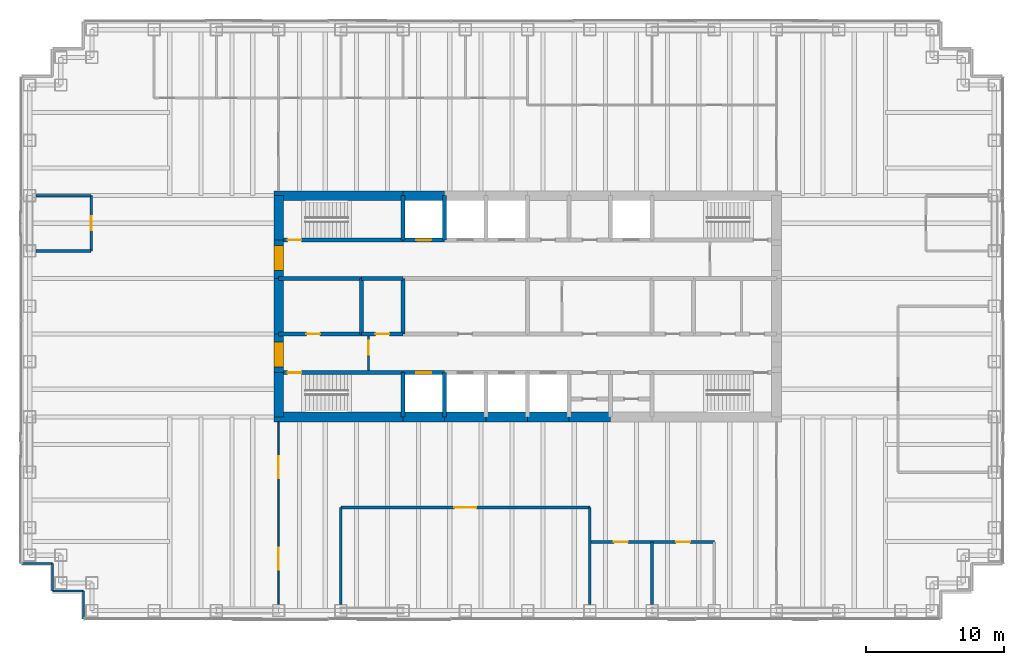
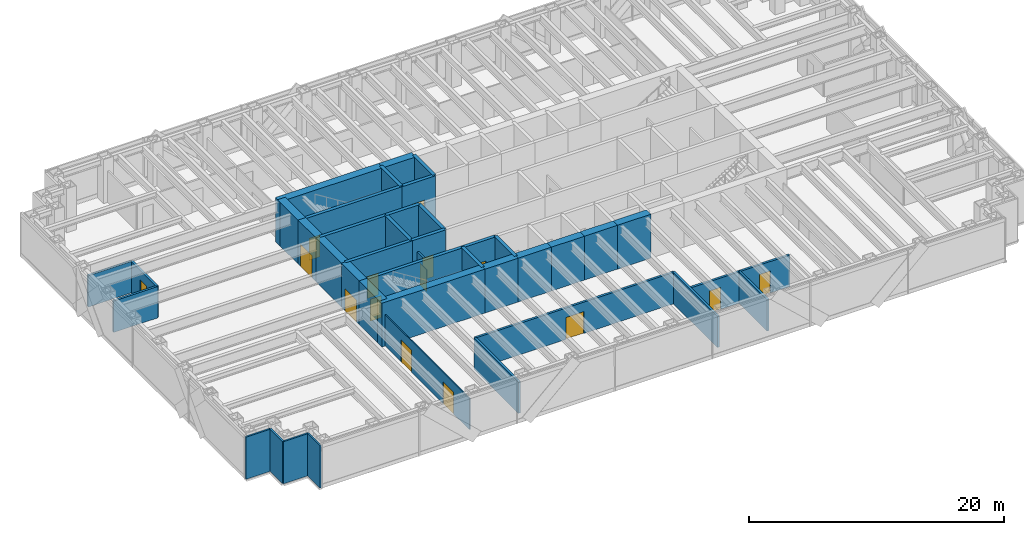
# One storey, part 13 of 17: 41 walls, 15 doors, 15 openings.
"""IFC4 building model written with IfcOpenShell, lengths in metres."""

from ifc_helpers import new_model, si_unit, direction, frame, frame_2d, origin, place, context, subcontext, project, spatial, rectangle, extrude, material, layer, layer_set, type_object, element, fill, save


model = new_model("IFC4")

# Units and contexts
model_context = context("Model", 3, precision=1e-05, world=origin(), true_north=direction((0.0, 1.0)))
body_context = subcontext(model_context, "Body", "Model", "MODEL_VIEW")
ifc_project = project(units=[si_unit("LENGTHUNIT", "METRE"), si_unit("AREAUNIT", "SQUARE_METRE"), si_unit("VOLUMEUNIT", "CUBIC_METRE"), si_unit("PLANEANGLEUNIT", "RADIAN"), si_unit("MASSUNIT", "GRAM", prefix="KILO")], contexts=[model_context])

# Site, building, storey
site_placement = place(None, origin())
site = spatial("IfcSite", under=ifc_project, at=site_placement, CompositionType="ELEMENT")
building_placement = place(site_placement, origin())
building = spatial("IfcBuilding", under=site, at=building_placement, Name="Rheinbord Bourse Tower", CompositionType="ELEMENT")
storey_placement = place(building_placement, frame((0.0, 0.0, 321.5)))
storey = spatial("IfcBuildingStorey", under=building, at=storey_placement, Name="L73", CompositionType="ELEMENT", Elevation=321.5)

# Wall, openings, doors
ifc_material_1 = material(Name="Acoustic gypsum board partition", Category="gypsum board")
ifc_layer_1 = layer(ifc_material_1, 0.199951171875)
ifc_layer_set_1 = layer_set([ifc_layer_1], Name="ACOUSTIC PARTITION 200")
wall_type_1 = type_object("IfcWallType", Name="ACOUSTIC PARTITION 200", PredefinedType="PARTITIONING", material=ifc_layer_set_1)
wall_1_placement = place(storey_placement, frame((40.5, 6.949951171875, 0.0), z_axis=(0.0, 0.0, 1.0), x_axis=(1.0, 0.0, 0.0)))
wall_1 = element("IfcWall", 1, at=wall_1_placement, inside=storey, type_object=wall_type_1, Name="Partition L73-01", PredefinedType="PARTITIONING", context=body_context, shape_type="SweptSolid", body=[
    extrude(rectangle(XDim=9.0, YDim=0.199951171875, at=frame_2d((4.5, 0.0))), origin(), (0.0, 0.0, 1.0), 3.0),
])
opening_1_placement = place(wall_1_placement, frame((1.75, 0.0, 0.0)))
opening_1 = element("IfcOpeningElement", 2, at=opening_1_placement, cuts=wall_1, Name="Opening 73D01", PredefinedType="OPENING", context=body_context, shape_type="SweptSolid", body=[
    extrude(rectangle(XDim=1.0, YDim=2.10009765625, at=frame_2d((0.5, 1.050048828125))), frame((0.0, 0.10986328125, 0.0), z_axis=(0.0, -1.0, 0.0), x_axis=(1.0, 0.0, 0.0)), (0.0, 0.0, 1.0), 0.219970703125),
])
opening_2_placement = place(wall_1_placement, frame((6.25, 0.0, 0.0)))
opening_2 = element("IfcOpeningElement", 3, at=opening_2_placement, cuts=wall_1, Name="Opening 73D02", PredefinedType="OPENING", context=body_context, shape_type="SweptSolid", body=[
    extrude(rectangle(XDim=1.0, YDim=2.10009765625, at=frame_2d((0.5, 1.050048828125))), frame((0.0, 0.10986328125, 0.0), z_axis=(0.0, -1.0, 0.0), x_axis=(1.0, 0.0, 0.0)), (0.0, 0.0, 1.0), 0.219970703125),
])
ifc_material_2 = material(Name="Timber door", Category="wood")
door_type_1 = type_object("IfcDoorType", Name="ROOM DOOR 1000", OperationType="SINGLE_SWING_LEFT", PredefinedType="DOOR", material=ifc_material_2)
door_1_placement = place(opening_1_placement, origin())
door_1 = element("IfcDoor", 4, at=door_1_placement, inside=storey, type_object=door_type_1, Name="Interview studio door L73", OperationType="SINGLE_SWING_LEFT", OverallHeight=2.10009765625, OverallWidth=1.0, PredefinedType="DOOR", context=body_context, shape_type="SweptSolid", body=[
    extrude(rectangle(XDim=1.0, YDim=2.10009765625, at=frame_2d((0.5, 1.050048828125))), frame((0.0, 0.02490234375, 0.0), z_axis=(0.0, -1.0, 0.0), x_axis=(1.0, 0.0, 0.0)), (0.0, 0.0, 1.0), 0.050048828125),
])
fill(opening_1, door_1)
door_2_placement = place(opening_2_placement, origin())
door_2 = element("IfcDoor", 5, at=door_2_placement, inside=storey, type_object=door_type_1, Name="Interview studio door L73", OperationType="SINGLE_SWING_RIGHT", OverallHeight=2.10009765625, OverallWidth=1.0, PredefinedType="DOOR", context=body_context, shape_type="SweptSolid", body=[
    extrude(rectangle(XDim=1.0, YDim=2.10009765625, at=frame_2d((0.5, 1.050048828125))), frame((0.0, 0.02490234375, 0.0), z_axis=(0.0, -1.0, 0.0), x_axis=(1.0, 0.0, 0.0)), (0.0, 0.0, 1.0), 0.050048828125),
])
fill(opening_2, door_2)

# Wall, opening, door
wall_2_placement = place(storey_placement, frame((22.5, 9.449951171875, 0.0), z_axis=(0.0, 0.0, 1.0), x_axis=(1.0, 0.0, 0.0)))
wall_2 = element("IfcWall", 6, at=wall_2_placement, inside=storey, type_object=wall_type_1, Name="Partition L73-02", PredefinedType="PARTITIONING", context=body_context, shape_type="SweptSolid", body=[
    extrude(rectangle(XDim=18.0, YDim=0.199951171875, at=frame_2d((9.0, 0.0))), origin(), (0.0, 0.0, 1.0), 3.0),
])
opening_3_placement = place(wall_2_placement, frame((8.199951171875, 0.0, 0.0)))
opening_3 = element("IfcOpeningElement", 7, at=opening_3_placement, cuts=wall_2, Name="Opening 73D03", PredefinedType="OPENING", context=body_context, shape_type="SweptSolid", body=[
    extrude(rectangle(XDim=1.60009765625, YDim=2.10009765625, at=frame_2d((0.800048828125, 1.050048828125))), frame((0.0, 0.10986328125, 0.0), z_axis=(0.0, -1.0, 0.0), x_axis=(1.0, 0.0, 0.0)), (0.0, 0.0, 1.0), 0.219970703125),
])
ifc_material_3 = material(Name="Timber door", Category="wood")
door_type_2 = type_object("IfcDoorType", Name="DOUBLE ROOM DOOR 1600", OperationType="DOUBLE_DOOR_DOUBLE_SWING", PredefinedType="DOOR", material=ifc_material_3)
door_3_placement = place(opening_3_placement, origin())
door_3 = element("IfcDoor", 8, at=door_3_placement, inside=storey, type_object=door_type_2, Name="Press briefing room door L73", OperationType="SINGLE_SWING_LEFT", OverallHeight=2.10009765625, OverallWidth=1.60009765625, PredefinedType="DOOR", context=body_context, shape_type="SweptSolid", body=[
    extrude(rectangle(XDim=1.60009765625, YDim=2.10009765625, at=frame_2d((0.800048828125, 1.050048828125))), frame((0.0, 0.02490234375, 0.0), z_axis=(0.0, -1.0, 0.0), x_axis=(1.0, 0.0, 0.0)), (0.0, 0.0, 1.0), 0.050048828125),
])
fill(opening_3, door_3)

# Walls
for number, where, z_axis, x_axis, name in (
    (9, (0.449951171875, 28.0, 0.0), (0.0, 0.0, 1.0), (1.0, 0.0, 0.0), "Partition L73-05"),
    (10, (0.449951171875, 32.0, 0.0), (0.0, 0.0, 1.0), (1.0, 0.0, 0.0), "Partition L73-07"),
):
    element("IfcWall", number, at=place(storey_placement, frame(where, z_axis=z_axis, x_axis=x_axis)), inside=storey, type_object=wall_type_1, Name=name, PredefinedType="PARTITIONING", context=body_context, shape_type="SweptSolid", body=[
        extrude(rectangle(XDim=4.0, YDim=0.199951171875, at=frame_2d((2.0, 0.0))), origin(), (0.0, 0.0, 1.0), 3.0),
    ])

# Wall, opening, door
wall_3_placement = place(storey_placement, frame((4.449951171875, 28.0, 0.0), z_axis=(0.0, 0.0, 1.0), x_axis=(0.0, 1.0, 0.0)))
wall_3 = element("IfcWall", 11, at=wall_3_placement, inside=storey, type_object=wall_type_1, Name="Partition L73-11", PredefinedType="PARTITIONING", context=body_context, shape_type="SweptSolid", body=[
    extrude(rectangle(XDim=4.0, YDim=0.199951171875, at=frame_2d((2.0, 0.0))), origin(), (0.0, 0.0, 1.0), 3.0),
])
opening_4_placement = place(wall_3_placement, frame((1.5, 0.0, 0.0)))
opening_4 = element("IfcOpeningElement", 12, at=opening_4_placement, cuts=wall_3, Name="Opening 73D05", PredefinedType="OPENING", context=body_context, shape_type="SweptSolid", body=[
    extrude(rectangle(XDim=1.0, YDim=2.10009765625, at=frame_2d((0.5, 1.050048828125))), frame((0.0, 0.10986328125, 0.0), z_axis=(0.0, -1.0, 0.0), x_axis=(1.0, 0.0, 0.0)), (0.0, 0.0, 1.0), 0.219970703125),
])
door_4_placement = place(opening_4_placement, origin())
door_4 = element("IfcDoor", 13, at=door_4_placement, inside=storey, type_object=door_type_1, Name="Edit suite door L73", OperationType="SINGLE_SWING_LEFT", OverallHeight=2.10009765625, OverallWidth=1.0, PredefinedType="DOOR", context=body_context, shape_type="SweptSolid", body=[
    extrude(rectangle(XDim=1.0, YDim=2.10009765625, at=frame_2d((0.5, 1.050048828125))), frame((0.0, 0.02490234375, 0.0), z_axis=(0.0, -1.0, 0.0), x_axis=(1.0, 0.0, 0.0)), (0.0, 0.0, 1.0), 0.050048828125),
])
fill(opening_4, door_4)

# Walls
for number, where, z_axis, x_axis, name in (
    (14, (22.5, 2.449951171875, 0.0), (0.0, 0.0, 1.0), (0.0, 1.0, 0.0), "Partition L73-17"),
    (15, (40.5, 2.449951171875, 0.0), (0.0, 0.0, 1.0), (0.0, 1.0, 0.0), "Partition L73-23"),
):
    element("IfcWall", number, at=place(storey_placement, frame(where, z_axis=z_axis, x_axis=x_axis)), inside=storey, type_object=wall_type_1, Name=name, PredefinedType="PARTITIONING", context=body_context, shape_type="SweptSolid", body=[
        extrude(rectangle(XDim=7.0, YDim=0.199951171875, at=frame_2d((3.5, 0.0))), origin(), (0.0, 0.0, 1.0), 3.0),
    ])
wall_4_placement = place(storey_placement, frame((45.0, 2.449951171875, 0.0), z_axis=(0.0, 0.0, 1.0), x_axis=(0.0, 1.0, 0.0)))
element("IfcWall", 16, at=wall_4_placement, inside=storey, type_object=wall_type_1, Name="Partition L73-24", PredefinedType="PARTITIONING", context=body_context, shape_type="SweptSolid", body=[
    extrude(rectangle(XDim=4.5, YDim=0.199951171875, at=frame_2d((2.25, 0.0))), origin(), (0.0, 0.0, 1.0), 3.0),
])

# Wall, opening, door
ifc_material_4 = material(Name="Concrete C50/60", Category="concrete")
ifc_layer_2 = layer(ifc_material_4, 0.300048828125)
ifc_layer_set_2 = layer_set([ifc_layer_2], Name="CORE INNER WALL 300")
wall_type_2 = type_object("IfcWallType", Name="CORE INNER WALL 300", PredefinedType="SOLIDWALL", material=ifc_layer_set_2)
wall_5_placement = place(storey_placement, frame((18.0, 19.199951171875, 0.0), z_axis=(0.0, 0.0, 1.0), x_axis=(1.0, 0.0, 0.0)))
wall_5 = element("IfcWall", 17, at=wall_5_placement, inside=storey, type_object=wall_type_2, Name="Core wall A1 L73", PredefinedType="SOLIDWALL", context=body_context, shape_type="SweptSolid", body=[
    extrude(rectangle(XDim=9.0, YDim=0.300048828125, at=frame_2d((4.5, 0.0))), origin(), (0.0, 0.0, 1.0), 4.199951171875),
])
opening_5_placement = place(wall_5_placement, frame((0.64990234375, 0.0, 0.0)))
opening_5 = element("IfcOpeningElement", 18, at=opening_5_placement, cuts=wall_5, Name="Opening 7310", PredefinedType="OPENING", context=body_context, shape_type="SweptSolid", body=[
    extrude(rectangle(XDim=1.0, YDim=2.10009765625, at=frame_2d((0.5, 1.050048828125))), frame((0.0, 0.159912109375, 0.0), z_axis=(0.0, -1.0, 0.0), x_axis=(1.0, 0.0, 0.0)), (0.0, 0.0, 1.0), 0.320068359375),
])
ifc_material_5 = material(Name="Steel door", Category="steel")
door_type_3 = type_object("IfcDoorType", Name="DOOR 1000 EI30", OperationType="SINGLE_SWING_LEFT", PredefinedType="DOOR", material=ifc_material_5)
door_5_placement = place(opening_5_placement, origin())
door_5 = element("IfcDoor", 19, at=door_5_placement, inside=storey, type_object=door_type_3, Name="Stair door ST1 L73", OperationType="SINGLE_SWING_LEFT", OverallHeight=2.10009765625, OverallWidth=1.0, PredefinedType="DOOR", context=body_context, shape_type="SweptSolid", body=[
    extrude(rectangle(XDim=1.0, YDim=2.10009765625, at=frame_2d((0.5, 1.050048828125))), frame((0.0, 0.02490234375, 0.0), z_axis=(0.0, -1.0, 0.0), x_axis=(1.0, 0.0, 0.0)), (0.0, 0.0, 1.0), 0.050048828125),
])
fill(opening_5, door_5)

wall_6_placement = place(storey_placement, frame((27.0, 19.199951171875, 0.0), z_axis=(0.0, 0.0, 1.0), x_axis=(1.0, 0.0, 0.0)))
wall_6 = element("IfcWall", 20, at=wall_6_placement, inside=storey, type_object=wall_type_2, Name="Core wall A2 L73", PredefinedType="SOLIDWALL", context=body_context, shape_type="SweptSolid", body=[
    extrude(rectangle(XDim=3.0, YDim=0.300048828125, at=frame_2d((1.5, 0.0))), origin(), (0.0, 0.0, 1.0), 4.199951171875),
])
opening_6_placement = place(wall_6_placement, frame((0.949951171875, 0.0, 0.0)))
opening_6 = element("IfcOpeningElement", 21, at=opening_6_placement, cuts=wall_6, Name="Opening FL1", PredefinedType="OPENING", context=body_context, shape_type="SweptSolid", body=[
    extrude(rectangle(XDim=1.10009765625, YDim=2.199951171875, at=frame_2d((0.550048828125, 1.10009765625))), frame((0.0, 0.159912109375, 0.0), z_axis=(0.0, -1.0, 0.0), x_axis=(1.0, 0.0, 0.0)), (0.0, 0.0, 1.0), 0.320068359375),
])
ifc_material_6 = material(Name="Steel landing door", Category="steel")
door_type_4 = type_object("IfcDoorType", Name="LIFT LANDING DOOR 1100", OperationType="DOUBLE_DOOR_SLIDING", PredefinedType="USERDEFINED", material=ifc_material_6)
door_6_placement = place(opening_6_placement, origin())
door_6 = element("IfcDoor", 22, at=door_6_placement, inside=storey, type_object=door_type_4, Name="Lift landing door FL1 L73", ObjectType="LIFT LANDING DOOR", OperationType="DOUBLE_DOOR_SLIDING", OverallHeight=2.199951171875, OverallWidth=1.10009765625, PredefinedType="USERDEFINED", context=body_context, shape_type="SweptSolid", body=[
    extrude(rectangle(XDim=1.10009765625, YDim=2.199951171875, at=frame_2d((0.550048828125, 1.10009765625))), frame((0.0, 0.02490234375, 0.0), z_axis=(0.0, -1.0, 0.0), x_axis=(1.0, 0.0, 0.0)), (0.0, 0.0, 1.0), 0.050048828125),
])
fill(opening_6, door_6)

wall_7_placement = place(storey_placement, frame((18.0, 28.800048828125, 0.0), z_axis=(0.0, 0.0, 1.0), x_axis=(1.0, 0.0, 0.0)))
wall_7 = element("IfcWall", 23, at=wall_7_placement, inside=storey, type_object=wall_type_2, Name="Core wall B1 L73", PredefinedType="SOLIDWALL", context=body_context, shape_type="SweptSolid", body=[
    extrude(rectangle(XDim=9.0, YDim=0.300048828125, at=frame_2d((4.5, 0.0))), origin(), (0.0, 0.0, 1.0), 4.199951171875),
])
opening_7_placement = place(wall_7_placement, frame((0.64990234375, 0.0, 0.0)))
opening_7 = element("IfcOpeningElement", 24, at=opening_7_placement, cuts=wall_7, Name="Opening 7320", PredefinedType="OPENING", context=body_context, shape_type="SweptSolid", body=[
    extrude(rectangle(XDim=1.0, YDim=2.10009765625, at=frame_2d((0.5, 1.050048828125))), frame((0.0, 0.159912109375, 0.0), z_axis=(0.0, -1.0, 0.0), x_axis=(1.0, 0.0, 0.0)), (0.0, 0.0, 1.0), 0.320068359375),
])
door_7_placement = place(opening_7_placement, origin())
door_7 = element("IfcDoor", 25, at=door_7_placement, inside=storey, type_object=door_type_3, Name="Stair door ST2 L73", OperationType="SINGLE_SWING_LEFT", OverallHeight=2.10009765625, OverallWidth=1.0, PredefinedType="DOOR", context=body_context, shape_type="SweptSolid", body=[
    extrude(rectangle(XDim=1.0, YDim=2.10009765625, at=frame_2d((0.5, 1.050048828125))), frame((0.0, 0.02490234375, 0.0), z_axis=(0.0, -1.0, 0.0), x_axis=(1.0, 0.0, 0.0)), (0.0, 0.0, 1.0), 0.050048828125),
])
fill(opening_7, door_7)

wall_8_placement = place(storey_placement, frame((27.0, 28.800048828125, 0.0), z_axis=(0.0, 0.0, 1.0), x_axis=(1.0, 0.0, 0.0)))
wall_8 = element("IfcWall", 26, at=wall_8_placement, inside=storey, type_object=wall_type_2, Name="Core wall B2 L73", PredefinedType="SOLIDWALL", context=body_context, shape_type="SweptSolid", body=[
    extrude(rectangle(XDim=3.0, YDim=0.300048828125, at=frame_2d((1.5, 0.0))), origin(), (0.0, 0.0, 1.0), 4.199951171875),
])
opening_8_placement = place(wall_8_placement, frame((0.949951171875, 0.0, 0.0)))
opening_8 = element("IfcOpeningElement", 27, at=opening_8_placement, cuts=wall_8, Name="Opening GL1", PredefinedType="OPENING", context=body_context, shape_type="SweptSolid", body=[
    extrude(rectangle(XDim=1.10009765625, YDim=2.199951171875, at=frame_2d((0.550048828125, 1.10009765625))), frame((0.0, 0.159912109375, 0.0), z_axis=(0.0, -1.0, 0.0), x_axis=(1.0, 0.0, 0.0)), (0.0, 0.0, 1.0), 0.320068359375),
])
door_8_placement = place(opening_8_placement, origin())
door_8 = element("IfcDoor", 28, at=door_8_placement, inside=storey, type_object=door_type_4, Name="Lift landing door GL1 L73", ObjectType="LIFT LANDING DOOR", OperationType="DOUBLE_DOOR_SLIDING", OverallHeight=2.199951171875, OverallWidth=1.10009765625, PredefinedType="USERDEFINED", context=body_context, shape_type="SweptSolid", body=[
    extrude(rectangle(XDim=1.10009765625, YDim=2.199951171875, at=frame_2d((0.550048828125, 1.10009765625))), frame((0.0, 0.02490234375, 0.0), z_axis=(0.0, -1.0, 0.0), x_axis=(1.0, 0.0, 0.0)), (0.0, 0.0, 1.0), 0.050048828125),
])
fill(opening_8, door_8)

wall_9_placement = place(storey_placement, frame((18.0, 22.0, 0.0), z_axis=(0.0, 0.0, 1.0), x_axis=(1.0, 0.0, 0.0)))
wall_9 = element("IfcWall", 29, at=wall_9_placement, inside=storey, type_object=wall_type_2, Name="Core wall C1 L73", PredefinedType="SOLIDWALL", context=body_context, shape_type="SweptSolid", body=[
    extrude(rectangle(XDim=6.0, YDim=0.300048828125, at=frame_2d((3.0, 0.0))), origin(), (0.0, 0.0, 1.0), 4.199951171875),
])
opening_9_placement = place(wall_9_placement, frame((2.0, 0.0, 0.0)))
opening_9 = element("IfcOpeningElement", 30, at=opening_9_placement, cuts=wall_9, Name="Opening 73R1", PredefinedType="OPENING", context=body_context, shape_type="SweptSolid", body=[
    extrude(rectangle(XDim=1.0, YDim=2.10009765625, at=frame_2d((0.5, 1.050048828125))), frame((0.0, 0.159912109375, 0.0), z_axis=(0.0, -1.0, 0.0), x_axis=(1.0, 0.0, 0.0)), (0.0, 0.0, 1.0), 0.320068359375),
])
ifc_material_7 = material(Name="Timber door", Category="wood")
door_type_5 = type_object("IfcDoorType", Name="DOOR 1000 WC", OperationType="SINGLE_SWING_LEFT", PredefinedType="DOOR", material=ifc_material_7)
door_9_placement = place(opening_9_placement, origin())
door_9 = element("IfcDoor", 31, at=door_9_placement, inside=storey, type_object=door_type_5, Name="WC men door L73", OperationType="SINGLE_SWING_LEFT", OverallHeight=2.10009765625, OverallWidth=1.0, PredefinedType="DOOR", context=body_context, shape_type="SweptSolid", body=[
    extrude(rectangle(XDim=1.0, YDim=2.10009765625, at=frame_2d((0.5, 1.050048828125))), frame((0.0, 0.02490234375, 0.0), z_axis=(0.0, -1.0, 0.0), x_axis=(1.0, 0.0, 0.0)), (0.0, 0.0, 1.0), 0.050048828125),
])
fill(opening_9, door_9)

wall_10_placement = place(storey_placement, frame((24.0, 22.0, 0.0), z_axis=(0.0, 0.0, 1.0), x_axis=(1.0, 0.0, 0.0)))
wall_10 = element("IfcWall", 32, at=wall_10_placement, inside=storey, type_object=wall_type_2, Name="Core wall C2 L73", PredefinedType="SOLIDWALL", context=body_context, shape_type="SweptSolid", body=[
    extrude(rectangle(XDim=3.0, YDim=0.300048828125, at=frame_2d((1.5, 0.0))), origin(), (0.0, 0.0, 1.0), 4.199951171875),
])
opening_10_placement = place(wall_10_placement, frame((1.0, 0.0, 0.0)))
opening_10 = element("IfcOpeningElement", 33, at=opening_10_placement, cuts=wall_10, Name="Opening 73R2", PredefinedType="OPENING", context=body_context, shape_type="SweptSolid", body=[
    extrude(rectangle(XDim=1.0, YDim=2.10009765625, at=frame_2d((0.5, 1.050048828125))), frame((0.0, 0.159912109375, 0.0), z_axis=(0.0, -1.0, 0.0), x_axis=(1.0, 0.0, 0.0)), (0.0, 0.0, 1.0), 0.320068359375),
])
door_10_placement = place(opening_10_placement, origin())
door_10 = element("IfcDoor", 34, at=door_10_placement, inside=storey, type_object=door_type_5, Name="Accessible WC door L73", OperationType="SINGLE_SWING_LEFT", OverallHeight=2.10009765625, OverallWidth=1.0, PredefinedType="DOOR", context=body_context, shape_type="SweptSolid", body=[
    extrude(rectangle(XDim=1.0, YDim=2.10009765625, at=frame_2d((0.5, 1.050048828125))), frame((0.0, 0.02490234375, 0.0), z_axis=(0.0, -1.0, 0.0), x_axis=(1.0, 0.0, 0.0)), (0.0, 0.0, 1.0), 0.050048828125),
])
fill(opening_10, door_10)

# Walls
wall_11_placement = place(storey_placement, frame((18.0, 26.0, 0.0), z_axis=(0.0, 0.0, 1.0), x_axis=(1.0, 0.0, 0.0)))
element("IfcWall", 35, at=wall_11_placement, inside=storey, type_object=wall_type_2, Name="Core wall D1 L73", PredefinedType="SOLIDWALL", context=body_context, shape_type="SweptSolid", body=[
    extrude(rectangle(XDim=6.0, YDim=0.300048828125, at=frame_2d((3.0, 0.0))), origin(), (0.0, 0.0, 1.0), 4.199951171875),
])
wall_12_placement = place(storey_placement, frame((24.0, 26.0, 0.0), z_axis=(0.0, 0.0, 1.0), x_axis=(1.0, 0.0, 0.0)))
element("IfcWall", 36, at=wall_12_placement, inside=storey, type_object=wall_type_2, Name="Core wall D2 L73", PredefinedType="SOLIDWALL", context=body_context, shape_type="SweptSolid", body=[
    extrude(rectangle(XDim=3.0, YDim=0.300048828125, at=frame_2d((1.5, 0.0))), origin(), (0.0, 0.0, 1.0), 4.199951171875),
])
for number, where, z_axis, x_axis, name in (
    (37, (27.0, 16.0, 0.0), (0.0, 0.0, 1.0), (0.0, 1.0, 0.0), "Core wall SX27 L73"),
    (38, (27.0, 28.800048828125, 0.0), (0.0, 0.0, 1.0), (0.0, 1.0, 0.0), "Core wall NX27 L73"),
    (39, (30.0, 16.0, 0.0), (0.0, 0.0, 1.0), (0.0, 1.0, 0.0), "Core wall SX30 L73"),
    (40, (30.0, 28.800048828125, 0.0), (0.0, 0.0, 1.0), (0.0, 1.0, 0.0), "Core wall NX30 L73"),
):
    element("IfcWall", number, at=place(storey_placement, frame(where, z_axis=z_axis, x_axis=x_axis)), inside=storey, type_object=wall_type_2, Name=name, PredefinedType="SOLIDWALL", context=body_context, shape_type="SweptSolid", body=[
        extrude(rectangle(XDim=3.199951171875, YDim=0.300048828125, at=frame_2d((1.60009765625, 0.0))), origin(), (0.0, 0.0, 1.0), 4.199951171875),
    ])
for number, where, z_axis, x_axis, name in (
    (41, (24.0, 22.0, 0.0), (0.0, 0.0, 1.0), (0.0, 1.0, 0.0), "Core wall MX24 L73"),
    (42, (27.0, 22.0, 0.0), (0.0, 0.0, 1.0), (0.0, 1.0, 0.0), "Core wall MX27 L73"),
):
    element("IfcWall", number, at=place(storey_placement, frame(where, z_axis=z_axis, x_axis=x_axis)), inside=storey, type_object=wall_type_2, Name=name, PredefinedType="SOLIDWALL", context=body_context, shape_type="SweptSolid", body=[
        extrude(rectangle(XDim=4.0, YDim=0.300048828125, at=frame_2d((2.0, 0.0))), origin(), (0.0, 0.0, 1.0), 4.199951171875),
    ])

# Wall, opening, door
ifc_material_8 = material(Name="Gypsum board fire partition", Category="gypsum board")
ifc_layer_3 = layer(ifc_material_8, 0.14990234375)
ifc_layer_set_3 = layer_set([ifc_layer_3], Name="CORE PARTITION 150 EI30")
wall_type_3 = type_object("IfcWallType", Name="CORE PARTITION 150 EI30", PredefinedType="PARTITIONING", material=ifc_layer_set_3)
wall_13_placement = place(storey_placement, frame((24.5, 19.35009765625, 0.0), z_axis=(0.0, 0.0, 1.0), x_axis=(0.0, 1.0, 0.0)))
wall_13 = element("IfcWall", 43, at=wall_13_placement, inside=storey, type_object=wall_type_3, Name="Core partition L73-4", PredefinedType="PARTITIONING", context=body_context, shape_type="SweptSolid", body=[
    extrude(rectangle(XDim=2.5, YDim=0.14990234375, at=frame_2d((1.25, 0.0))), origin(), (0.0, 0.0, 1.0), 3.0),
])
opening_11_placement = place(wall_13_placement, frame((1.14990234375, 0.0, 0.0)))
opening_11 = element("IfcOpeningElement", 44, at=opening_11_placement, cuts=wall_13, Name="Opening 73L5", PredefinedType="OPENING", context=body_context, shape_type="SweptSolid", body=[
    extrude(rectangle(XDim=1.0, YDim=2.10009765625, at=frame_2d((0.5, 1.050048828125))), frame((0.0, 0.0849609375, 0.0), z_axis=(0.0, -1.0, 0.0), x_axis=(1.0, 0.0, 0.0)), (0.0, 0.0, 1.0), 0.169921875),
])
door_11_placement = place(opening_11_placement, origin())
door_11 = element("IfcDoor", 45, at=door_11_placement, inside=storey, type_object=door_type_3, Name="Stair lobby door L73", OperationType="SINGLE_SWING_RIGHT", OverallHeight=2.10009765625, OverallWidth=1.0, PredefinedType="DOOR", context=body_context, shape_type="SweptSolid", body=[
    extrude(rectangle(XDim=1.0, YDim=2.10009765625, at=frame_2d((0.5, 1.050048828125))), frame((0.0, 0.02490234375, 0.0), z_axis=(0.0, -1.0, 0.0), x_axis=(1.0, 0.0, 0.0)), (0.0, 0.0, 1.0), 0.050048828125),
])
fill(opening_11, door_11)

# Walls
ifc_material_9 = material(Name="Concrete C50/60", Category="concrete")
ifc_layer_4 = layer(ifc_material_9, 0.699951171875)
ifc_layer_set_4 = layer_set([ifc_layer_4], Name="CORE WALL 700")
wall_type_4 = type_object("IfcWallType", Name="CORE WALL 700", PredefinedType="SHEAR", material=ifc_layer_set_4)
wall_14_placement = place(storey_placement, frame((17.64990234375, 16.0, 0.0), z_axis=(0.0, 0.0, 1.0), x_axis=(1.0, 0.0, 0.0)))
element("IfcWall", 46, at=wall_14_placement, inside=storey, type_object=wall_type_4, Name="Core wall S1 L73", PredefinedType="SHEAR", context=body_context, shape_type="SweptSolid", body=[
    extrude(rectangle(XDim=9.35009765625, YDim=0.699951171875, at=frame_2d((4.675048828125, 0.0))), origin(), (0.0, 0.0, 1.0), 4.199951171875),
])
for number, where, z_axis, x_axis, name in (
    (47, (27.0, 16.0, 0.0), (0.0, 0.0, 1.0), (1.0, 0.0, 0.0), "Core wall S2 L73"),
    (48, (30.0, 16.0, 0.0), (0.0, 0.0, 1.0), (1.0, 0.0, 0.0), "Core wall S3 L73"),
    (49, (33.0, 16.0, 0.0), (0.0, 0.0, 1.0), (1.0, 0.0, 0.0), "Core wall S4 L73"),
    (50, (36.0, 16.0, 0.0), (0.0, 0.0, 1.0), (1.0, 0.0, 0.0), "Core wall S5 L73"),
    (51, (39.0, 16.0, 0.0), (0.0, 0.0, 1.0), (1.0, 0.0, 0.0), "Core wall S6 L73"),
    (52, (30.0, 32.0, 0.0), (0.0, 0.0, 1.0), (-1.0, 0.0, 0.0), "Core wall N7 L73"),
):
    element("IfcWall", number, at=place(storey_placement, frame(where, z_axis=z_axis, x_axis=x_axis)), inside=storey, type_object=wall_type_4, Name=name, PredefinedType="SHEAR", context=body_context, shape_type="SweptSolid", body=[
        extrude(rectangle(XDim=3.0, YDim=0.699951171875, at=frame_2d((1.5, 0.0))), origin(), (0.0, 0.0, 1.0), 4.199951171875),
    ])
wall_15_placement = place(storey_placement, frame((27.0, 32.0, 0.0), z_axis=(0.0, 0.0, 1.0), x_axis=(-1.0, 0.0, 0.0)))
element("IfcWall", 53, at=wall_15_placement, inside=storey, type_object=wall_type_4, Name="Core wall N8 L73", PredefinedType="SHEAR", context=body_context, shape_type="SweptSolid", body=[
    extrude(rectangle(XDim=9.35009765625, YDim=0.699951171875, at=frame_2d((4.675048828125, 0.0))), origin(), (0.0, 0.0, 1.0), 4.199951171875),
])
wall_16_placement = place(storey_placement, frame((18.0, 32.0, 0.0), z_axis=(0.0, 0.0, 1.0), x_axis=(0.0, -1.0, 0.0)))
element("IfcWall", 54, at=wall_16_placement, inside=storey, type_object=wall_type_4, Name="Core wall W1 L73", PredefinedType="SHEAR", context=body_context, shape_type="SweptSolid", body=[
    extrude(rectangle(XDim=3.199951171875, YDim=0.699951171875, at=frame_2d((1.60009765625, 0.0))), origin(), (0.0, 0.0, 1.0), 4.199951171875),
])

# Wall, opening, door
wall_17_placement = place(storey_placement, frame((18.0, 28.800048828125, 0.0), z_axis=(0.0, 0.0, 1.0), x_axis=(0.0, -1.0, 0.0)))
wall_17 = element("IfcWall", 55, at=wall_17_placement, inside=storey, type_object=wall_type_4, Name="Core wall W2 L73", PredefinedType="SHEAR", context=body_context, shape_type="SweptSolid", body=[
    extrude(rectangle(XDim=2.800048828125, YDim=0.699951171875, at=frame_2d((1.39990234375, 0.0))), origin(), (0.0, 0.0, 1.0), 4.199951171875),
])
opening_12_placement = place(wall_17_placement, frame((0.39990234375, 0.0, 0.0)))
opening_12 = element("IfcOpeningElement", 56, at=opening_12_placement, cuts=wall_17, Name="Opening 73L2", PredefinedType="OPENING", context=body_context, shape_type="SweptSolid", body=[
    extrude(rectangle(XDim=1.800048828125, YDim=2.10009765625, at=frame_2d((0.89990234375, 1.050048828125))), frame((0.0, 0.35986328125, 0.0), z_axis=(0.0, -1.0, 0.0), x_axis=(1.0, 0.0, 0.0)), (0.0, 0.0, 1.0), 0.719970703125),
])
ifc_material_10 = material(Name="Steel door", Category="steel")
door_type_6 = type_object("IfcDoorType", Name="DOOR 1800 EI30 DOUBLE", OperationType="DOUBLE_DOOR_DOUBLE_SWING", PredefinedType="DOOR", material=ifc_material_10)
door_12_placement = place(opening_12_placement, origin())
door_12 = element("IfcDoor", 57, at=door_12_placement, inside=storey, type_object=door_type_6, Name="Lobby door 2 L73", OperationType="SINGLE_SWING_LEFT", OverallHeight=2.10009765625, OverallWidth=1.800048828125, PredefinedType="DOOR", context=body_context, shape_type="SweptSolid", body=[
    extrude(rectangle(XDim=1.800048828125, YDim=2.10009765625, at=frame_2d((0.89990234375, 1.050048828125))), frame((0.0, 0.349609375, 0.0), z_axis=(0.0, -1.0, 0.0), x_axis=(1.0, 0.0, 0.0)), (0.0, 0.0, 1.0), 0.699462890625),
])
fill(opening_12, door_12)

# Wall
wall_18_placement = place(storey_placement, frame((18.0, 26.0, 0.0), z_axis=(0.0, 0.0, 1.0), x_axis=(0.0, -1.0, 0.0)))
element("IfcWall", 58, at=wall_18_placement, inside=storey, type_object=wall_type_4, Name="Core wall W3 L73", PredefinedType="SHEAR", context=body_context, shape_type="SweptSolid", body=[
    extrude(rectangle(XDim=4.0, YDim=0.699951171875, at=frame_2d((2.0, 0.0))), origin(), (0.0, 0.0, 1.0), 4.199951171875),
])

# Wall, opening, door
wall_19_placement = place(storey_placement, frame((18.0, 22.0, 0.0), z_axis=(0.0, 0.0, 1.0), x_axis=(0.0, -1.0, 0.0)))
wall_19 = element("IfcWall", 59, at=wall_19_placement, inside=storey, type_object=wall_type_4, Name="Core wall W4 L73", PredefinedType="SHEAR", context=body_context, shape_type="SweptSolid", body=[
    extrude(rectangle(XDim=2.800048828125, YDim=0.699951171875, at=frame_2d((1.39990234375, 0.0))), origin(), (0.0, 0.0, 1.0), 4.199951171875),
])
opening_13_placement = place(wall_19_placement, frame((0.60009765625, 0.0, 0.0)))
opening_13 = element("IfcOpeningElement", 60, at=opening_13_placement, cuts=wall_19, Name="Opening 73L1", PredefinedType="OPENING", context=body_context, shape_type="SweptSolid", body=[
    extrude(rectangle(XDim=1.800048828125, YDim=2.10009765625, at=frame_2d((0.89990234375, 1.050048828125))), frame((0.0, 0.35986328125, 0.0), z_axis=(0.0, -1.0, 0.0), x_axis=(1.0, 0.0, 0.0)), (0.0, 0.0, 1.0), 0.719970703125),
])
door_13_placement = place(opening_13_placement, origin())
door_13 = element("IfcDoor", 61, at=door_13_placement, inside=storey, type_object=door_type_6, Name="Lobby door 1 L73", OperationType="SINGLE_SWING_LEFT", OverallHeight=2.10009765625, OverallWidth=1.800048828125, PredefinedType="DOOR", context=body_context, shape_type="SweptSolid", body=[
    extrude(rectangle(XDim=1.800048828125, YDim=2.10009765625, at=frame_2d((0.89990234375, 1.050048828125))), frame((0.0, 0.349609375, 0.0), z_axis=(0.0, -1.0, 0.0), x_axis=(1.0, 0.0, 0.0)), (0.0, 0.0, 1.0), 0.699462890625),
])
fill(opening_13, door_13)

# Walls
wall_20_placement = place(storey_placement, frame((18.0, 19.199951171875, 0.0), z_axis=(0.0, 0.0, 1.0), x_axis=(0.0, -1.0, 0.0)))
element("IfcWall", 62, at=wall_20_placement, inside=storey, type_object=wall_type_4, Name="Core wall W5 L73", PredefinedType="SHEAR", context=body_context, shape_type="SweptSolid", body=[
    extrude(rectangle(XDim=3.199951171875, YDim=0.699951171875, at=frame_2d((1.60009765625, 0.0))), origin(), (0.0, 0.0, 1.0), 4.199951171875),
])
ifc_material_11 = material(Name="Black metal rainscreen panel", Category="aluminium")
ifc_layer_5 = layer(ifc_material_11, 0.14990234375)
ifc_layer_set_5 = layer_set([ifc_layer_5], Name="CORNER PIER CLADDING 150")
wall_type_5 = type_object("IfcWallType", Name="CORNER PIER CLADDING 150", PredefinedType="ELEMENTEDWALL", material=ifc_layer_set_5)
wall_21_placement = place(storey_placement, frame((-0.60009765625, 5.39990234375, 0.0), z_axis=(0.0, 0.0, 1.0), x_axis=(1.0, 0.0, 0.0)))
element("IfcWall", 63, at=wall_21_placement, inside=storey, type_object=wall_type_5, Name="Corner pier cladding L73 17", PredefinedType="ELEMENTEDWALL", context=body_context, shape_type="SweptSolid", body=[
    extrude(rectangle(XDim=2.25, YDim=0.14990234375, at=frame_2d((1.125, 0.0))), origin(), (0.0, 0.0, 1.0), 4.0400390625),
])
wall_22_placement = place(storey_placement, frame((1.64990234375, 5.39990234375, 0.0), z_axis=(0.0, 0.0, 1.0), x_axis=(0.0, -1.0, 0.0)))
element("IfcWall", 64, at=wall_22_placement, inside=storey, type_object=wall_type_5, Name="Corner pier cladding L73 18", PredefinedType="ELEMENTEDWALL", context=body_context, shape_type="SweptSolid", body=[
    extrude(rectangle(XDim=2.0, YDim=0.14990234375, at=frame_2d((1.0, 0.0))), origin(), (0.0, 0.0, 1.0), 4.0400390625),
])
wall_23_placement = place(storey_placement, frame((1.64990234375, 3.39990234375, 0.0), z_axis=(0.0, 0.0, 1.0), x_axis=(1.0, 0.0, 0.0)))
element("IfcWall", 65, at=wall_23_placement, inside=storey, type_object=wall_type_5, Name="Corner pier cladding L73 19", PredefinedType="ELEMENTEDWALL", context=body_context, shape_type="SweptSolid", body=[
    extrude(rectangle(XDim=2.25, YDim=0.14990234375, at=frame_2d((1.125, 0.0))), origin(), (0.0, 0.0, 1.0), 4.0400390625),
])
wall_24_placement = place(storey_placement, frame((3.89990234375, 3.39990234375, 0.0), z_axis=(0.0, 0.0, 1.0), x_axis=(0.0, -1.0, 0.0)))
element("IfcWall", 66, at=wall_24_placement, inside=storey, type_object=wall_type_5, Name="Corner pier cladding L73 20", PredefinedType="ELEMENTEDWALL", context=body_context, shape_type="SweptSolid", body=[
    extrude(rectangle(XDim=2.0, YDim=0.14990234375, at=frame_2d((1.0, 0.0))), origin(), (0.0, 0.0, 1.0), 4.0400390625),
])

# Wall, openings, doors
ifc_material_12 = material(Name="Toughened laminated glass partition", Category="glass")
ifc_layer_6 = layer(ifc_material_12, 0.10009765625)
ifc_layer_set_6 = layer_set([ifc_layer_6], Name="GLAZED PARTITION 100")
wall_type_6 = type_object("IfcWallType", Name="GLAZED PARTITION 100", PredefinedType="PARTITIONING", material=ifc_layer_set_6)
wall_25_placement = place(storey_placement, frame((18.0, 2.449951171875, 0.0), z_axis=(0.0, 0.0, 1.0), x_axis=(0.0, 1.0, 0.0)))
wall_25 = element("IfcWall", 67, at=wall_25_placement, inside=storey, type_object=wall_type_6, Name="Partition L73-14", PredefinedType="PARTITIONING", context=body_context, shape_type="SweptSolid", body=[
    extrude(rectangle(XDim=13.199951171875, YDim=0.10009765625, at=frame_2d((6.60009765625, 0.0))), origin(), (0.0, 0.0, 1.0), 3.0),
])
opening_14_placement = place(wall_25_placement, frame((2.5, 0.0, 0.0)))
opening_14 = element("IfcOpeningElement", 68, at=opening_14_placement, cuts=wall_25, Name="Opening 73D15", PredefinedType="OPENING", context=body_context, shape_type="SweptSolid", body=[
    extrude(rectangle(XDim=1.60009765625, YDim=2.10009765625, at=frame_2d((0.800048828125, 1.050048828125))), frame((0.0, 0.06005859375, 0.0), z_axis=(0.0, -1.0, 0.0), x_axis=(1.0, 0.0, 0.0)), (0.0, 0.0, 1.0), 0.1201171875),
])
opening_15_placement = place(wall_25_placement, frame((9.10009765625, 0.0, 0.0)))
opening_15 = element("IfcOpeningElement", 69, at=opening_15_placement, cuts=wall_25, Name="Opening 73D16", PredefinedType="OPENING", context=body_context, shape_type="SweptSolid", body=[
    extrude(rectangle(XDim=1.60009765625, YDim=2.10009765625, at=frame_2d((0.800048828125, 1.050048828125))), frame((0.0, 0.06005859375, 0.0), z_axis=(0.0, -1.0, 0.0), x_axis=(1.0, 0.0, 0.0)), (0.0, 0.0, 1.0), 0.1201171875),
])
door_14_placement = place(opening_14_placement, origin())
door_14 = element("IfcDoor", 70, at=door_14_placement, inside=storey, type_object=door_type_2, Name="Open area door L73", OperationType="SINGLE_SWING_LEFT", OverallHeight=2.10009765625, OverallWidth=1.60009765625, PredefinedType="DOOR", context=body_context, shape_type="SweptSolid", body=[
    extrude(rectangle(XDim=1.60009765625, YDim=2.10009765625, at=frame_2d((0.800048828125, 1.050048828125))), frame((0.0, 0.02490234375, 0.0), z_axis=(0.0, -1.0, 0.0), x_axis=(1.0, 0.0, 0.0)), (0.0, 0.0, 1.0), 0.050048828125),
])
fill(opening_14, door_14)
door_15_placement = place(opening_15_placement, origin())
door_15 = element("IfcDoor", 71, at=door_15_placement, inside=storey, type_object=door_type_2, Name="Open area door L73", OperationType="SINGLE_SWING_LEFT", OverallHeight=2.10009765625, OverallWidth=1.60009765625, PredefinedType="DOOR", context=body_context, shape_type="SweptSolid", body=[
    extrude(rectangle(XDim=1.60009765625, YDim=2.10009765625, at=frame_2d((0.800048828125, 1.050048828125))), frame((0.0, 0.02490234375, 0.0), z_axis=(0.0, -1.0, 0.0), x_axis=(1.0, 0.0, 0.0)), (0.0, 0.0, 1.0), 0.050048828125),
])
fill(opening_15, door_15)

save(model, "model.ifc")
